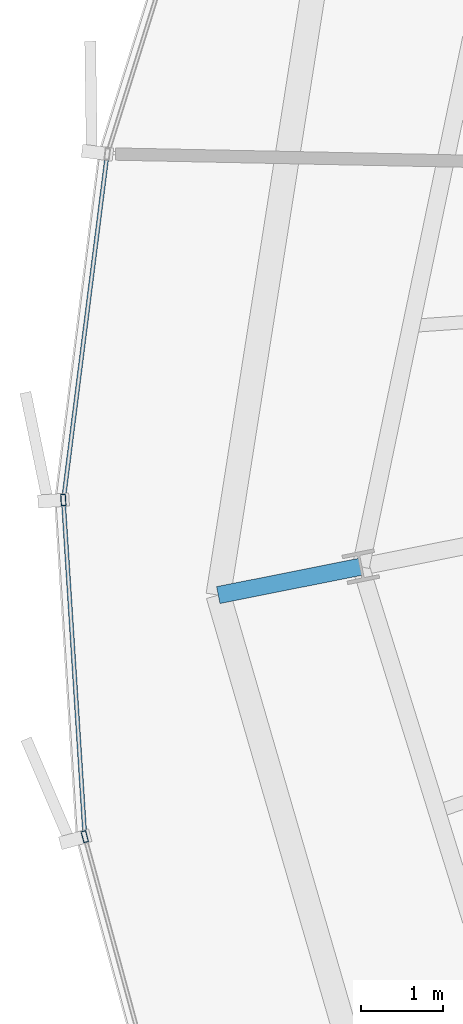
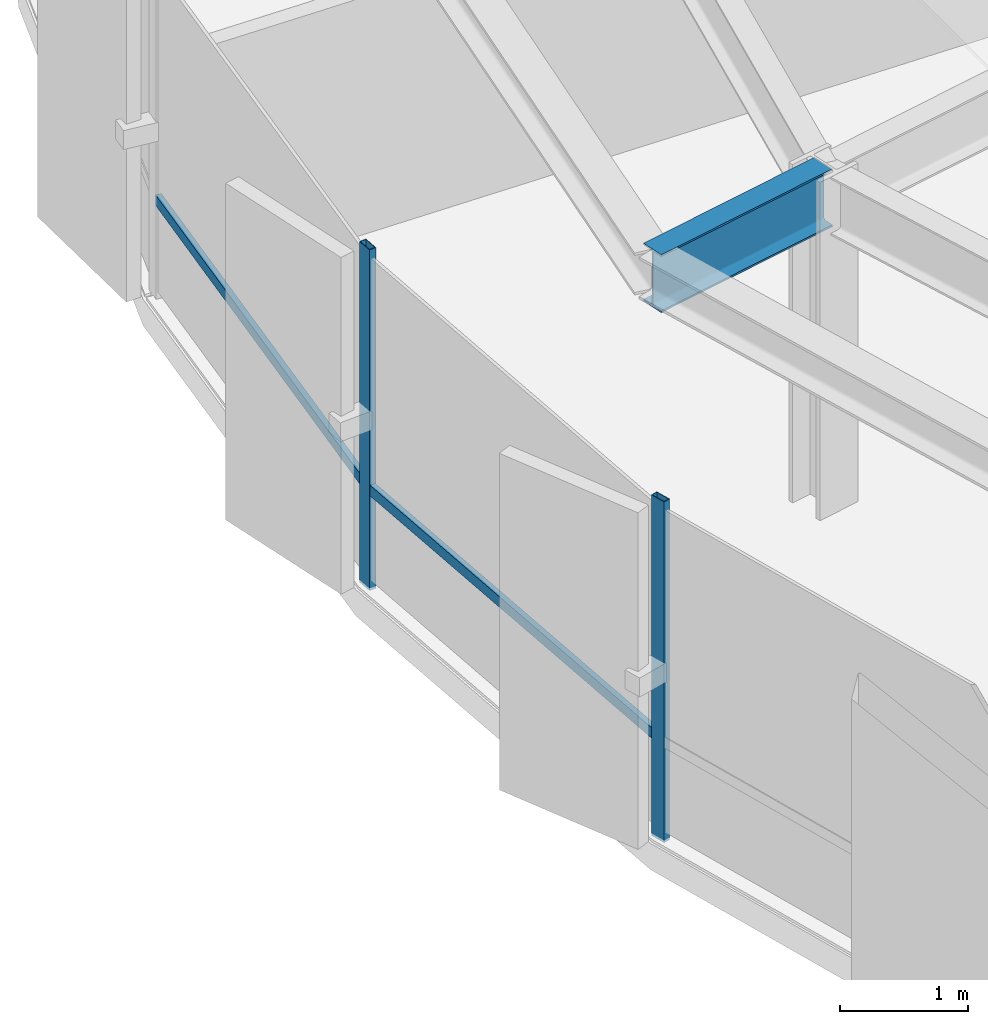
# One storey, part 9 of 35: 4 members, 1 beam, 1 element without a shape of its own.
"""IFC4 building model written with IfcOpenShell, lengths in metres."""

from ifc_helpers import new_model, si_unit, direction, frame, origin, origin_2d, place, context, subcontext, project, spatial, hollow_rectangle, i_section, extrude, source, transform, mapped, material, layer, layer_set, material_profile, profile_set, type_object, element, aggregate, save


model = new_model("IFC4")

# Units and contexts
model_context = context("Model", 3, precision=1e-05, world=origin(), true_north=direction((0.0, 1.0)))
body_context = subcontext(model_context, "Body", "Model", "MODEL_VIEW")
ifc_project = project(units=[si_unit("LENGTHUNIT", "METRE"), si_unit("AREAUNIT", "SQUARE_METRE"), si_unit("VOLUMEUNIT", "CUBIC_METRE"), si_unit("PLANEANGLEUNIT", "RADIAN"), si_unit("MASSUNIT", "GRAM", prefix="KILO"), si_unit("THERMODYNAMICTEMPERATUREUNIT", "KELVIN")], contexts=[model_context])

# Site, building, storey
site_placement = place(None, origin())
site = spatial("IfcSite", under=ifc_project, at=site_placement, CompositionType="ELEMENT")
building_placement = place(site_placement, origin())
building = spatial("IfcBuilding", under=site, at=building_placement, Name="Kethvar Cultural Tower", CompositionType="ELEMENT")
storey_placement = place(building_placement, frame((0.0, 0.0, 167.85009765625)))
storey = spatial("IfcBuildingStorey", under=building, at=storey_placement, Name="L43", CompositionType="ELEMENT", Elevation=167.85009765625)

# Beam
ifc_material_1 = material(Name="Steel S355J2", Category="steel")
ifc_material_profile_1 = material_profile(ifc_material_1, i_section(OverallWidth=0.2099609375, OverallDepth=0.550048828125, WebThickness=0.010986328125, FlangeThickness=0.01708984375, FilletRadius=0.02392578125, at=origin_2d()), Name="Steel S355J2 — IPE550")
ifc_profile_set_1 = profile_set([ifc_material_profile_1], Name="Steel S355J2 — IPE550")
beam_type = type_object("IfcBeamType", Name="BM-IPE550", PredefinedType="BEAM", material=ifc_profile_set_1)
shared_shape_1 = source(origin(), body_context, "Body", "SweptSolid", [
    extrude(i_section(OverallWidth=0.2099609375, OverallDepth=0.550048828125, WebThickness=0.010986328125, FlangeThickness=0.01708984375, FilletRadius=0.02392578125, at=origin_2d()), origin(), (0.0, 0.0, 1.0), 1.7724609375),
])
beam_placement = place(storey_placement, frame((24.185302734375, 23.3017578125, 2.962890625), z_axis=(-0.980765667358, -0.195188897563, 0.0), x_axis=(0.195188897563, -0.980765667358, 0.0)))
element("IfcBeam", 1, at=beam_placement, inside=storey, type_object=beam_type, Name="L43 Perimeter Cantilever Beam RC-09", PredefinedType="BEAM", context=body_context, shape_type="MappedRepresentation", body=[
    mapped(shared_shape_1, transform((0.0, 0.0, 0.0), scale=1.0)),
])

# Curtain wall, members
ifc_material_2 = material(Name="Aluminium 6063-T6", Category="aluminium")
ifc_layer = layer(ifc_material_2, 0.179931640625, Name="Aluminium 6063-T6", Category="aluminium")
ifc_layer_set = layer_set([ifc_layer], Name="Aluminium 6063-T6 (180 mm)")
curtain_wall_type = type_object("IfcCurtainWallType", Name="CW-SYS-04-Z34", PredefinedType="NOTDEFINED", material=ifc_layer_set)
curtain_wall_placement = place(storey_placement, origin())
curtain_wall = element("IfcCurtainWall", 2, at=curtain_wall_placement, inside=storey, type_object=curtain_wall_type, Name="L43 Curtain Wall Run 03", PredefinedType="NOTDEFINED")
ifc_material_profile_2 = material_profile(ifc_material_2, hollow_rectangle(XDim=0.06005859375, YDim=0.139892578125, WallThickness=0.0048828125, at=origin_2d()), Name="Aluminium 6063-T6 — RHS140x60x5")
ifc_profile_set_2 = profile_set([ifc_material_profile_2], Name="Aluminium 6063-T6 — RHS140x60x5")
member_type_1 = type_object("IfcMemberType", Name="CW-SYS-04-Z34-MUL", PredefinedType="MULLION", material=ifc_profile_set_2)
shared_shape_2 = source(origin(), body_context, "Body", "SweptSolid", [
    extrude(hollow_rectangle(XDim=0.06005859375, YDim=0.139892578125, WallThickness=0.0048828125, at=origin_2d()), origin(), (0.0, 0.0, 1.0), 3.239990234375),
])
member_1_placement = place(storey_placement, frame((20.556640625, 24.116455078125, 0.0), z_axis=(0.0, 0.0, 1.0), x_axis=(0.997951504271, 0.063974956995, 0.0)))
member_1 = element("IfcMember", 3, at=member_1_placement, type_object=member_type_1, Name="CW-L43-R03 Mullion 4", PredefinedType="MULLION", context=body_context, shape_type="MappedRepresentation", body=[
    mapped(shared_shape_2, transform((0.0, 0.0, 0.0), scale=1.0)),
])
member_2_placement = place(storey_placement, frame((20.81787109375, 20.0087890625, 0.0), z_axis=(0.0, 0.0, 1.0), x_axis=(0.965016494472, 0.262189178641, 0.0)))
member_2 = element("IfcMember", 4, at=member_2_placement, type_object=member_type_1, Name="CW-L43-R03 Mullion 5", PredefinedType="MULLION", context=body_context, shape_type="MappedRepresentation", body=[
    mapped(shared_shape_2, transform((0.0, 0.0, 0.0), scale=1.0)),
])
ifc_material_profile_3 = material_profile(ifc_material_2, hollow_rectangle(XDim=0.050048828125, YDim=0.10009765625, WallThickness=0.00390625, at=origin_2d()), Name="Aluminium 6063-T6 — RHS100x50x4")
ifc_profile_set_3 = profile_set([ifc_material_profile_3], Name="Aluminium 6063-T6 — RHS100x50x4")
member_type_2 = type_object("IfcMemberType", Name="CW-SYS-04-Z34-TRN", PredefinedType="USERDEFINED", material=ifc_profile_set_3)
shared_shape_3 = source(origin(), body_context, "Body", "SweptSolid", [
    extrude(hollow_rectangle(XDim=0.050048828125, YDim=0.10009765625, WallThickness=0.00390625, at=origin_2d()), origin(), (0.0, 0.0, 1.0), 4.18896484375),
])
member_3_placement = place(storey_placement, frame((21.086669921875, 28.294677734375, 0.949951171875), z_axis=(-0.125418992807, -0.992103863637, 0.0), x_axis=(0.992103863637, -0.125418992807, 0.0)))
member_3 = element("IfcMember", 5, at=member_3_placement, type_object=member_type_2, Name="CW-L43-R03 Transom 3", ObjectType="TRANSOM", PredefinedType="USERDEFINED", context=body_context, shape_type="MappedRepresentation", body=[
    mapped(shared_shape_3, transform((0.0, 0.0, 0.0), scale=1.0)),
])
shared_shape_4 = source(origin(), body_context, "Body", "SweptSolid", [
    extrude(hollow_rectangle(XDim=0.050048828125, YDim=0.10009765625, WallThickness=0.00390625, at=origin_2d()), origin(), (0.0, 0.0, 1.0), 4.0517578125),
])
member_4_placement = place(storey_placement, frame((20.559326171875, 24.073486328125, 0.949951171875), z_axis=(0.063991268379, -0.997950458475, 0.0), x_axis=(0.997950458475, 0.063991268379, 0.0)))
member_4 = element("IfcMember", 6, at=member_4_placement, type_object=member_type_2, Name="CW-L43-R03 Transom 4", ObjectType="TRANSOM", PredefinedType="USERDEFINED", context=body_context, shape_type="MappedRepresentation", body=[
    mapped(shared_shape_4, transform((0.0, 0.0, 0.0), scale=1.0)),
])
aggregate(curtain_wall, [member_1, member_2, member_3, member_4])

save(model, "model.ifc")
